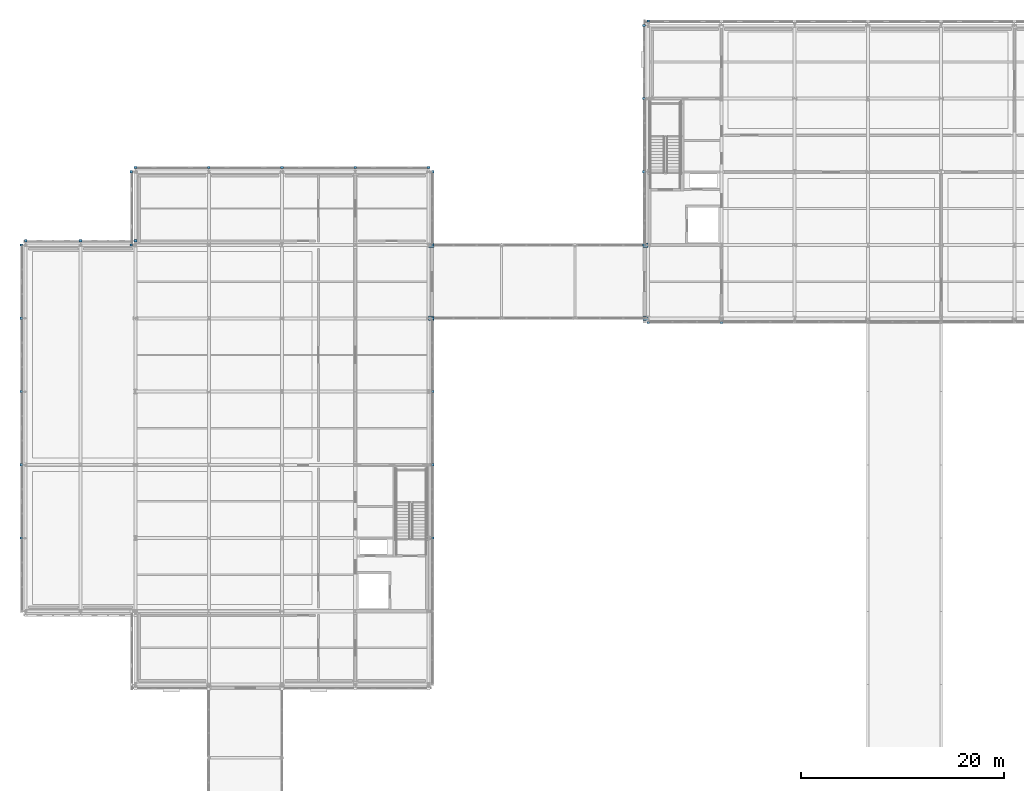
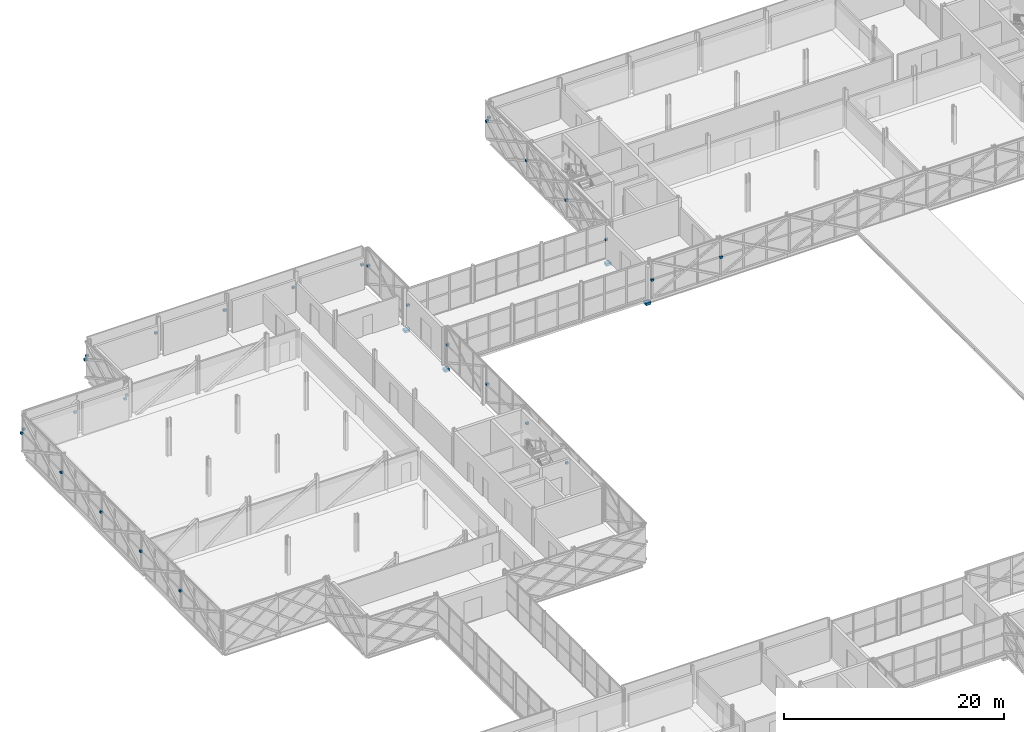
# One storey, part 113 of 126: 32 discrete accessories.
"""IFC4 building model written with IfcOpenShell, lengths in metres."""

from ifc_helpers import new_model, si_unit, direction, frame, origin, origin_2d, place, context, subcontext, project, spatial, rectangle, extrude, material, type_object, element, save


model = new_model("IFC4")

# Units and contexts
model_context = context("Model", 3, precision=1e-05, world=origin(), true_north=direction((0.0, 1.0)))
body_context = subcontext(model_context, "Body", "Model", "MODEL_VIEW")
ifc_project = project(units=[si_unit("LENGTHUNIT", "METRE"), si_unit("AREAUNIT", "SQUARE_METRE"), si_unit("VOLUMEUNIT", "CUBIC_METRE"), si_unit("PLANEANGLEUNIT", "RADIAN"), si_unit("MASSUNIT", "GRAM", prefix="KILO")], contexts=[model_context])

# Site, building, storey
site_placement = place(None, origin())
site = spatial("IfcSite", under=ifc_project, at=site_placement, CompositionType="ELEMENT")
building_placement = place(site_placement, origin())
building = spatial("IfcBuilding", under=site, at=building_placement, Name="Zlatovets Crest Museum", CompositionType="ELEMENT")
storey_placement = place(building_placement, frame((0.0, 0.0, 8.699951171875)))
storey = spatial("IfcBuildingStorey", under=building, at=storey_placement, Name="L02", CompositionType="ELEMENT", Elevation=8.699951171875)

# Discrete accessories
ifc_material = material(Name="Structural steel S355J2", Category="steel")
discrete_accessory_type_1 = type_object("IfcDiscreteAccessoryType", Name="BridgeBearingSeat_BS01", PredefinedType="SHOE", material=ifc_material)
for number, where, z_axis, x_axis, name in (
    (1, (36.260009765625, 86.39990234375, -0.75), (0.0, 0.0, 1.0), (1.0, 0.0, 0.0), "Northwest Crest Glazed Link Bridge L02 520mm Sliding Bearing Seat Corbel Shoe"),
    (2, (36.260009765625, 93.60009765625, -0.75), (0.0, 0.0, 1.0), (1.0, 0.0, 0.0), "Northwest Crest Glazed Link Bridge L02 520mm Sliding Bearing Seat Corbel Shoe"),
    (3, (57.340087890625, 86.39990234375, -0.75), (0.0, 0.0, 1.0), (1.0, 0.0, 0.0), "Northwest Crest Glazed Link Bridge L02 520mm Sliding Bearing Seat Corbel Shoe"),
    (4, (57.340087890625, 93.60009765625, -0.75), (0.0, 0.0, 1.0), (1.0, 0.0, 0.0), "Northwest Crest Glazed Link Bridge L02 520mm Sliding Bearing Seat Corbel Shoe"),
):
    element("IfcDiscreteAccessory", number, at=place(storey_placement, frame(where, z_axis=z_axis, x_axis=x_axis)), inside=storey, type_object=discrete_accessory_type_1, Name=name, PredefinedType="SHOE", context=body_context, shape_type="SweptSolid", body=[
        extrude(rectangle(XDim=0.52001953125, YDim=0.449951171875, at=origin_2d()), origin(), (0.0, 0.0, 1.0), 0.280029296875),
    ])
discrete_accessory_type_2 = type_object("IfcDiscreteAccessoryType", Name="LatticeBracket_BK01", PredefinedType="BRACKET", material=ifc_material)
for number, where, z_axis, x_axis, name in (
    (5, (57.60009765625, 85.97998046875, 1.990234375), (0.0, 0.0, 1.0), (1.0, 0.0, 0.0), "Bronze Lattice Structural Collector Bracket"),
    (6, (64.800048828125, 85.97998046875, 1.990234375), (0.0, 0.0, 1.0), (1.0, 0.0, 0.0), "Bronze Lattice Structural Collector Bracket"),
    (7, (57.60009765625, 115.6201171875, 1.990234375), (0.0, 0.0, 1.0), (1.0, 0.0, 0.0), "Bronze Lattice Structural Collector Bracket"),
    (8, (57.179931640625, 115.199951171875, 1.990234375), (0.0, 0.0, 1.0), (1.0, 0.0, 0.0), "Bronze Lattice Structural Collector Bracket"),
    (9, (57.179931640625, 108.0, 1.990234375), (0.0, 0.0, 1.0), (1.0, 0.0, 0.0), "Bronze Lattice Structural Collector Bracket"),
    (10, (57.179931640625, 100.800048828125, 1.990234375), (0.0, 0.0, 1.0), (1.0, 0.0, 0.0), "Bronze Lattice Structural Collector Bracket"),
    (11, (57.179931640625, 93.60009765625, 1.990234375), (0.0, 0.0, 1.0), (1.0, 0.0, 0.0), "Bronze Lattice Structural Collector Bracket"),
    (12, (36.419921875, 64.800048828125, 1.990234375), (0.0, 0.0, 1.0), (1.0, 0.0, 0.0), "Bronze Lattice Structural Collector Bracket"),
    (13, (36.419921875, 72.0, 1.990234375), (0.0, 0.0, 1.0), (1.0, 0.0, 0.0), "Bronze Lattice Structural Collector Bracket"),
    (14, (36.419921875, 79.199951171875, 1.990234375), (0.0, 0.0, 1.0), (1.0, 0.0, 0.0), "Bronze Lattice Structural Collector Bracket"),
    (15, (36.419921875, 86.39990234375, 1.990234375), (0.0, 0.0, 1.0), (1.0, 0.0, 0.0), "Bronze Lattice Structural Collector Bracket"),
    (16, (36.419921875, 93.60009765625, 1.990234375), (0.0, 0.0, 1.0), (1.0, 0.0, 0.0), "Bronze Lattice Structural Collector Bracket"),
    (17, (36.419921875, 100.800048828125, 1.990234375), (0.0, 0.0, 1.0), (1.0, 0.0, 0.0), "Bronze Lattice Structural Collector Bracket"),
    (18, (14.39990234375, 101.219970703125, 1.990234375), (0.0, 0.0, 1.0), (1.0, 0.0, 0.0), "Bronze Lattice Structural Collector Bracket"),
    (19, (7.199951171875, 101.219970703125, 1.990234375), (0.0, 0.0, 1.0), (1.0, 0.0, 0.0), "Bronze Lattice Structural Collector Bracket"),
    (20, (21.60009765625, 101.219970703125, 1.990234375), (0.0, 0.0, 1.0), (1.0, 0.0, 0.0), "Bronze Lattice Structural Collector Bracket"),
    (21, (28.800048828125, 101.219970703125, 1.990234375), (0.0, 0.0, 1.0), (1.0, 0.0, 0.0), "Bronze Lattice Structural Collector Bracket"),
    (22, (36.0, 101.219970703125, 1.990234375), (0.0, 0.0, 1.0), (1.0, 0.0, 0.0), "Bronze Lattice Structural Collector Bracket"),
    (23, (6.780029296875, 100.800048828125, 1.990234375), (0.0, 0.0, 1.0), (1.0, 0.0, 0.0), "Bronze Lattice Structural Collector Bracket"),
    (24, (6.780029296875, 93.60009765625, 1.990234375), (0.0, 0.0, 1.0), (1.0, 0.0, 0.0), "Bronze Lattice Structural Collector Bracket"),
    (25, (7.199951171875, 94.02001953125, 1.990234375), (0.0, 0.0, 1.0), (1.0, 0.0, 0.0), "Bronze Lattice Structural Collector Bracket"),
    (26, (1.800048828125, 94.02001953125, 1.990234375), (0.0, 0.0, 1.0), (1.0, 0.0, 0.0), "Bronze Lattice Structural Collector Bracket"),
    (27, (-3.60009765625, 94.02001953125, 1.990234375), (0.0, 0.0, 1.0), (1.0, 0.0, 0.0), "Bronze Lattice Structural Collector Bracket"),
    (28, (-4.02001953125, 93.60009765625, 1.990234375), (0.0, 0.0, 1.0), (1.0, 0.0, 0.0), "Bronze Lattice Structural Collector Bracket"),
    (29, (-4.02001953125, 86.39990234375, 1.990234375), (0.0, 0.0, 1.0), (1.0, 0.0, 0.0), "Bronze Lattice Structural Collector Bracket"),
    (30, (-4.02001953125, 79.199951171875, 1.990234375), (0.0, 0.0, 1.0), (1.0, 0.0, 0.0), "Bronze Lattice Structural Collector Bracket"),
    (31, (-4.02001953125, 72.0, 1.990234375), (0.0, 0.0, 1.0), (1.0, 0.0, 0.0), "Bronze Lattice Structural Collector Bracket"),
    (32, (-4.02001953125, 64.800048828125, 1.990234375), (0.0, 0.0, 1.0), (1.0, 0.0, 0.0), "Bronze Lattice Structural Collector Bracket"),
):
    element("IfcDiscreteAccessory", number, at=place(storey_placement, frame(where, z_axis=z_axis, x_axis=x_axis)), inside=storey, type_object=discrete_accessory_type_2, Name=name, PredefinedType="BRACKET", context=body_context, shape_type="SweptSolid", body=[
        extrude(rectangle(XDim=0.280029296875, YDim=0.219970703125, at=origin_2d()), origin(), (0.0, 0.0, 1.0), 0.219970703125),
    ])

save(model, "model.ifc")
